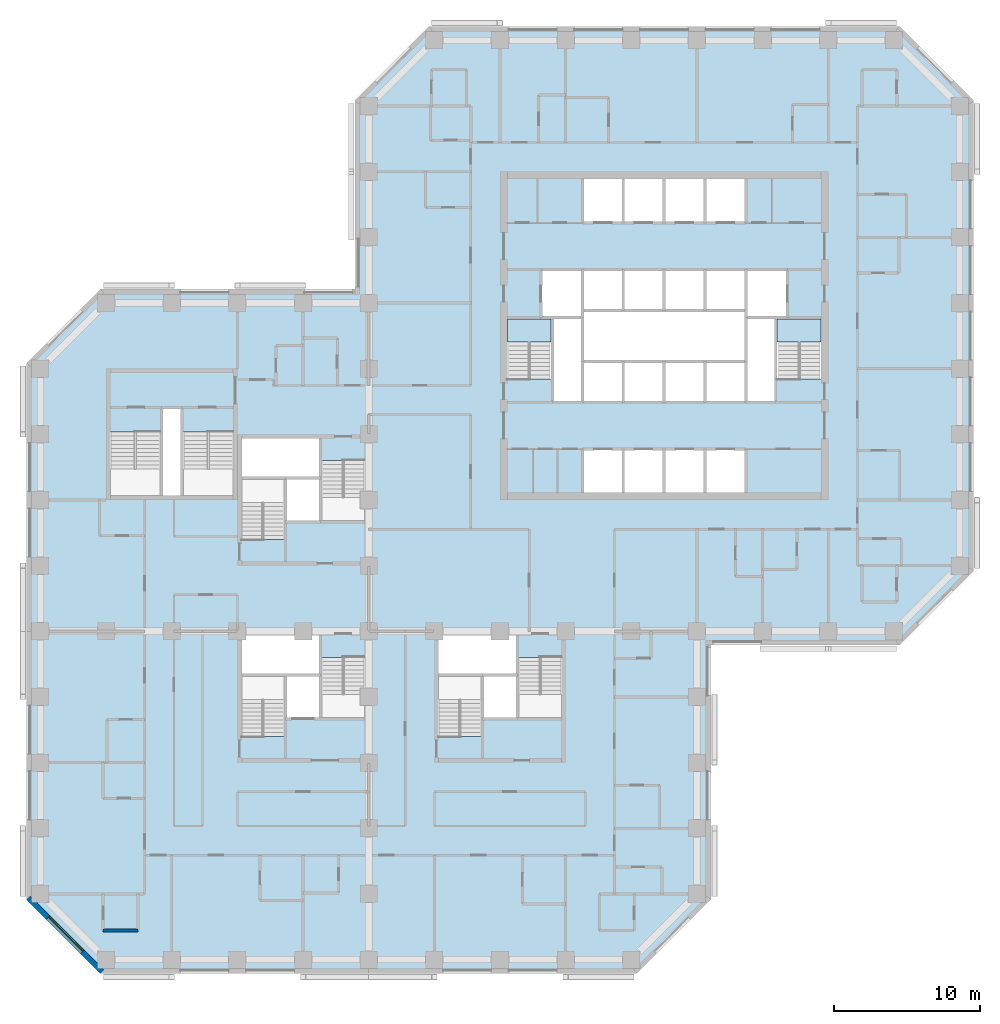
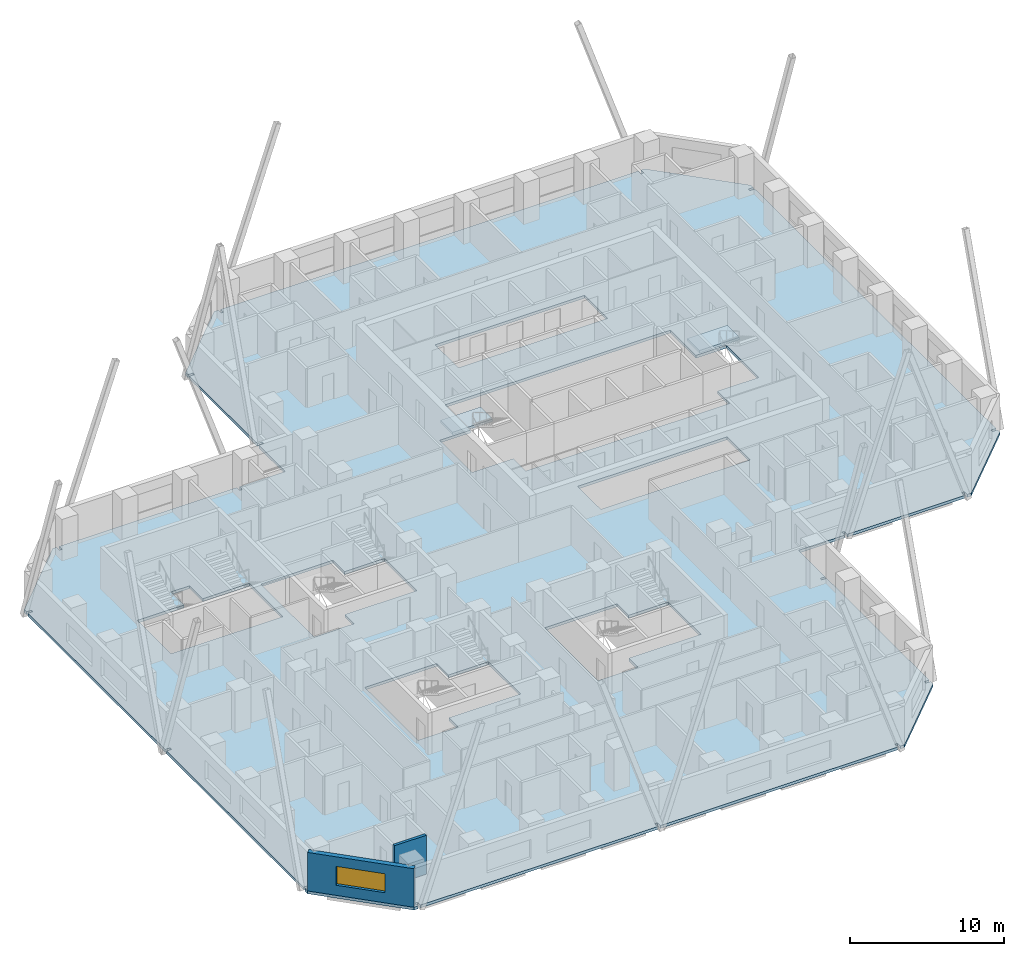
# One storey, part 2 of 13: 3 slabs, 2 walls, 1 window, 1 opening, 2 elements without a shape of their own.
"""IFC4 building model written with IfcOpenShell, lengths in metres."""

from ifc_helpers import new_model, si_unit, direction, frame, frame_2d, origin, place, context, subcontext, project, spatial, polyline, rectangle, outline, extrude, material, layer, layer_set, constituent, constituent_set, type_object, element, fill, aggregate, save


model = new_model("IFC4")

# Units and contexts
model_context = context("Model", 3, precision=1e-05, world=origin(), true_north=direction((0.0, 1.0)))
body_context = subcontext(model_context, "Body", "Model", "MODEL_VIEW")
ifc_project = project(units=[si_unit("LENGTHUNIT", "METRE"), si_unit("AREAUNIT", "SQUARE_METRE"), si_unit("VOLUMEUNIT", "CUBIC_METRE"), si_unit("PLANEANGLEUNIT", "RADIAN"), si_unit("MASSUNIT", "GRAM", prefix="KILO")], contexts=[model_context])

# Site, building, storey
site_placement = place(None, origin())
site = spatial("IfcSite", under=ifc_project, at=site_placement, CompositionType="ELEMENT")
building_placement = place(site_placement, origin())
building = spatial("IfcBuilding", under=site, at=building_placement, Name="Quoin Convention Tower", CompositionType="ELEMENT")
storey_placement = place(building_placement, frame((0.0, 0.0, 39.60009765625)))
storey = spatial("IfcBuildingStorey", under=building, at=storey_placement, Name="L09", CompositionType="ELEMENT", Elevation=39.60009765625)

# Slab
ifc_material_1 = material(Name="Concrete C50", Category="concrete")
ifc_layer_1 = layer(ifc_material_1, 0.219970703125)
ifc_layer_set_1 = layer_set([ifc_layer_1], Name="Concrete C50")
slab_type_1 = type_object("IfcSlabType", Name="RC SLAB 220 C50", PredefinedType="FLOOR", material=ifc_layer_set_1)
slab_1_placement = place(storey_placement, frame((0.0, 0.0, -0.22021484375)))
element("IfcSlab", 1, at=slab_1_placement, inside=storey, type_object=slab_type_1, Name="slb-L09", PredefinedType="FLOOR", context=body_context, shape_type="SweptSolid", body=[
    extrude(outline(polyline([(17.6064453125, 63.949951171875), (17.905029296875, 63.949951171875), (17.905029296875, 63.580078125), (18.094970703125, 63.580078125), (18.094970703125, 63.949951171875), (31.405029296875, 63.949951171875), (31.405029296875, 63.580078125), (31.594970703125, 63.580078125), (31.594970703125, 63.949951171875), (35.050048828125, 63.949951171875), (35.050048828125, 67.405029296875), (35.419921875, 67.405029296875), (35.419921875, 67.594970703125), (35.050048828125, 67.594970703125), (35.050048828125, 76.405029296875), (35.419921875, 76.405029296875), (35.419921875, 76.594970703125), (35.050048828125, 76.594970703125), (35.050048828125, 76.8935546875), (40.1064453125, 81.949951171875), (40.405029296875, 81.949951171875), (40.405029296875, 81.580078125), (40.594970703125, 81.580078125), (40.594970703125, 81.949951171875), (71.905029296875, 81.949951171875), (71.905029296875, 81.580078125), (72.094970703125, 81.580078125), (72.094970703125, 81.949951171875), (72.3935546875, 81.949951171875), (77.449951171875, 76.8935546875), (77.449951171875, 76.594970703125), (77.080078125, 76.594970703125), (77.080078125, 76.405029296875), (77.449951171875, 76.405029296875), (77.449951171875, 45.094970703125), (77.080078125, 45.094970703125), (77.080078125, 44.905029296875), (77.449951171875, 44.905029296875), (77.449951171875, 44.6064453125), (72.3935546875, 39.550048828125), (72.094970703125, 39.550048828125), (72.094970703125, 39.919921875), (71.905029296875, 39.919921875), (71.905029296875, 39.550048828125), (63.094970703125, 39.550048828125), (63.094970703125, 39.919921875), (62.905029296875, 39.919921875), (62.905029296875, 39.550048828125), (59.449951171875, 39.550048828125), (59.449951171875, 36.094970703125), (59.080078125, 36.094970703125), (59.080078125, 35.905029296875), (59.449951171875, 35.905029296875), (59.449951171875, 22.594970703125), (59.080078125, 22.594970703125), (59.080078125, 22.405029296875), (59.449951171875, 22.405029296875), (59.449951171875, 22.1064453125), (54.3935546875, 17.050048828125), (54.094970703125, 17.050048828125), (54.094970703125, 17.419921875), (53.905029296875, 17.419921875), (53.905029296875, 17.050048828125), (36.094970703125, 17.050048828125), (36.094970703125, 17.419921875), (35.905029296875, 17.419921875), (35.905029296875, 17.050048828125), (18.094970703125, 17.050048828125), (18.094970703125, 17.419921875), (17.905029296875, 17.419921875), (17.905029296875, 17.050048828125), (17.6064453125, 17.050048828125), (12.550048828125, 22.1064453125), (12.550048828125, 22.405029296875), (12.919921875, 22.405029296875), (12.919921875, 22.594970703125), (12.550048828125, 22.594970703125), (12.550048828125, 40.405029296875), (12.919921875, 40.405029296875), (12.919921875, 40.594970703125), (12.550048828125, 40.594970703125), (12.550048828125, 58.405029296875), (12.919921875, 58.405029296875), (12.919921875, 58.594970703125), (12.550048828125, 58.594970703125), (12.550048828125, 58.8935546875), (17.6064453125, 63.949951171875)]), holes=[polyline([(30.300048828125, 34.5), (32.699951171875, 34.5), (35.699951171875, 34.5), (35.699951171875, 38.699462890625), (32.699951171875, 38.699462890625), (32.699951171875, 40.199951171875), (27.300048828125, 40.199951171875), (27.300048828125, 37.5), (27.300048828125, 33.300537109375), (30.300048828125, 33.300537109375), (30.300048828125, 34.5)]), polyline([(43.800048828125, 34.5), (46.199951171875, 34.5), (49.199951171875, 34.5), (49.199951171875, 38.699462890625), (46.199951171875, 38.699462890625), (46.199951171875, 40.199951171875), (40.800048828125, 40.199951171875), (40.800048828125, 37.5), (40.800048828125, 33.300537109375), (43.800048828125, 33.300537109375), (43.800048828125, 34.5)]), polyline([(30.300048828125, 46.800537109375), (30.300048828125, 48.0), (32.699951171875, 48.0), (35.699951171875, 48.0), (35.699951171875, 52.199462890625), (32.699951171875, 52.199462890625), (32.699951171875, 53.699951171875), (27.300048828125, 53.699951171875), (27.300048828125, 51.0), (27.300048828125, 46.800537109375), (30.300048828125, 46.800537109375)]), polyline([(56.25, 50.0), (59.050048828125, 50.0), (61.85009765625, 50.0), (61.85009765625, 53.0), (59.050048828125, 53.0), (56.25, 53.0), (53.449951171875, 53.0), (50.64990234375, 53.0), (50.64990234375, 50.0), (53.449951171875, 50.0), (56.25, 50.0)]), polyline([(26.699951171875, 49.800048828125), (26.699951171875, 54.1494140625), (23.199951171875, 54.1494140625), (23.199951171875, 55.85009765625), (21.800048828125, 55.85009765625), (21.800048828125, 54.1494140625), (18.300048828125, 54.1494140625), (18.300048828125, 49.800048828125), (21.800048828125, 49.800048828125), (23.199951171875, 49.800048828125), (26.699951171875, 49.800048828125)]), polyline([(48.60009765625, 57.800537109375), (48.60009765625, 56.199951171875), (50.64990234375, 56.199951171875), (53.449951171875, 56.199951171875), (56.25, 56.199951171875), (59.050048828125, 56.199951171875), (61.85009765625, 56.199951171875), (63.89990234375, 56.199951171875), (63.89990234375, 57.800537109375), (67.0, 57.800537109375), (67.0, 62.0), (64.699951171875, 62.0), (64.699951171875, 65.300048828125), (61.85009765625, 65.300048828125), (59.050048828125, 65.300048828125), (56.25, 65.300048828125), (53.449951171875, 65.300048828125), (50.64990234375, 65.300048828125), (47.800048828125, 65.300048828125), (47.800048828125, 62.0), (45.5, 62.0), (45.5, 57.800537109375), (48.60009765625, 57.800537109375)]), polyline([(61.85009765625, 68.5), (61.85009765625, 71.5), (59.050048828125, 71.5), (56.25, 71.5), (53.449951171875, 71.5), (50.64990234375, 71.5), (50.64990234375, 68.5), (53.449951171875, 68.5), (56.25, 68.5), (59.050048828125, 68.5), (61.85009765625, 68.5)])]), origin(), (0.0, 0.0, 1.0), 0.22021484375),
])

# Stair, slab
ifc_material_2 = material(Name="Concrete C40", Category="concrete")
stair_type = type_object("IfcStairType", Name="Exit stair two-flight 1350", PredefinedType="HALF_TURN_STAIR", material=ifc_material_2)
stair_1_placement = place(storey_placement, origin())
stair_1 = element("IfcStair", 2, at=stair_1_placement, inside=storey, type_object=stair_type, Name="SD1 L09", PredefinedType="HALF_TURN_STAIR")
ifc_layer_2 = layer(ifc_material_2, 0.199951171875)
ifc_layer_set_2 = layer_set([ifc_layer_2], Name="Concrete C40")
slab_type_2 = type_object("IfcSlabType", Name="Stair landing 200", PredefinedType="LANDING", material=ifc_layer_set_2)
slab_2_placement = place(storey_placement, frame((0.0, 0.0, 1.449951171875)))
slab_2 = element("IfcSlab", 3, at=slab_2_placement, type_object=slab_type_2, Name="ST1 landing 1", PredefinedType="LANDING", context=body_context, shape_type="SweptSolid", body=[
    extrude(outline(polyline([(45.5, 60.320068359375), (48.5, 60.320068359375), (48.5, 61.89990234375), (45.5, 61.89990234375), (45.5, 60.320068359375)])), origin(), (0.0, 0.0, 1.0), 0.199951171875),
])
aggregate(stair_1, [slab_2])

stair_2_placement = place(storey_placement, origin())
stair_2 = element("IfcStair", 4, at=stair_2_placement, inside=storey, type_object=stair_type, Name="SD2 L09", PredefinedType="HALF_TURN_STAIR")
slab_3_placement = place(storey_placement, frame((0.0, 0.0, 1.449951171875)))
slab_3 = element("IfcSlab", 5, at=slab_3_placement, type_object=slab_type_2, Name="ST2 landing 1", PredefinedType="LANDING", context=body_context, shape_type="SweptSolid", body=[
    extrude(outline(polyline([(64.0, 60.320068359375), (67.0, 60.320068359375), (67.0, 61.89990234375), (64.0, 61.89990234375), (64.0, 60.320068359375)])), origin(), (0.0, 0.0, 1.0), 0.199951171875),
])
aggregate(stair_2, [slab_3])

# Wall, opening, window
ifc_material_3 = material(Name="Brick masonry", Category="masonry")
ifc_layer_3 = layer(ifc_material_3, 0.35009765625)
ifc_layer_set_3 = layer_set([ifc_layer_3], Name="Brick masonry")
wall_type_1 = type_object("IfcWallType", Name="Brick facade wall", PredefinedType="STANDARD", material=ifc_layer_set_3)
wall_1_placement = place(storey_placement, frame((12.673583984375, 22.230224609375, 0.0), z_axis=(0.0, 0.0, 1.0), x_axis=(0.707106781187, -0.707106781187, 0.0)))
wall_1 = element("IfcWall", 6, at=wall_1_placement, inside=storey, type_object=wall_type_1, Name="fw-L09-13500_22500", PredefinedType="STANDARD", context=body_context, shape_type="SweptSolid", body=[
    extrude(rectangle(XDim=7.151123046875, YDim=0.35009765625, at=frame_2d((3.57568359375, 0.0))), origin(), (0.0, 0.0, 1.0), 3.054931640625),
])
opening_placement = place(wall_1_placement, frame((1.925537109375, 0.0, 0.800048828125)))
opening = element("IfcOpeningElement", 7, at=opening_placement, cuts=wall_1, Name="Opening W-01", PredefinedType="OPENING", context=body_context, shape_type="SweptSolid", body=[
    extrude(rectangle(XDim=3.300048828125, YDim=1.5, at=frame_2d((1.64990234375, 0.75))), frame((0.0, 0.18505859375, 0.0), z_axis=(0.0, -1.0, 0.0), x_axis=(1.0, 0.0, 0.0)), (0.0, 0.0, 1.0), 0.3701171875),
])
ifc_material_4 = material(Name="Aluminium", Category="aluminium")
ifc_constituent_1 = constituent(ifc_material_4, Name="Frame")
ifc_material_5 = material(Name="Insulated glass", Category="glass")
ifc_constituent_2 = constituent(ifc_material_5, Name="Glazing")
ifc_constituent_set = constituent_set(constituents=[ifc_constituent_1, ifc_constituent_2], Name="Aluminium")
window_type = type_object("IfcWindowType", Name="Hotel strip window", PartitioningType="DOUBLE_PANEL_VERTICAL", PredefinedType="WINDOW", material=ifc_constituent_set)
window_placement = place(opening_placement, origin())
window = element("IfcWindow", 8, at=window_placement, inside=storey, type_object=window_type, Name="win-L09-15202_19702", OverallHeight=1.5, OverallWidth=3.300048828125, PartitioningType="SINGLE_PANEL", PredefinedType="WINDOW", context=body_context, shape_type="SweptSolid", body=[
    extrude(rectangle(XDim=3.300048828125, YDim=1.5, at=frame_2d((1.64990234375, 0.75))), frame((0.0, 0.0849609375, 0.0), z_axis=(0.0, -1.0, 0.0), x_axis=(1.0, 0.0, 0.0)), (0.0, 0.0, 1.0), 0.06005859375),
])
fill(opening, window)

# Wall
ifc_layer_4 = layer(ifc_material_1, 0.199951171875)
ifc_layer_set_4 = layer_set([ifc_layer_4], Name="Concrete C50")
wall_type_2 = type_object("IfcWallType", Name="RC party wall", PredefinedType="SOLIDWALL", material=ifc_layer_set_4)
wall_2_placement = place(storey_placement, frame((17.800048828125, 20.0, 0.0), z_axis=(0.0, 0.0, 1.0), x_axis=(1.0, 0.0, 0.0)))
element("IfcWall", 9, at=wall_2_placement, inside=storey, type_object=wall_type_2, Name="pw-L09-043", PredefinedType="SOLIDWALL", context=body_context, shape_type="SweptSolid", body=[
    extrude(rectangle(XDim=2.39990234375, YDim=0.199951171875, at=frame_2d((1.199951171875, 0.0))), origin(), (0.0, 0.0, 1.0), 3.079833984375),
])

save(model, "model.ifc")
